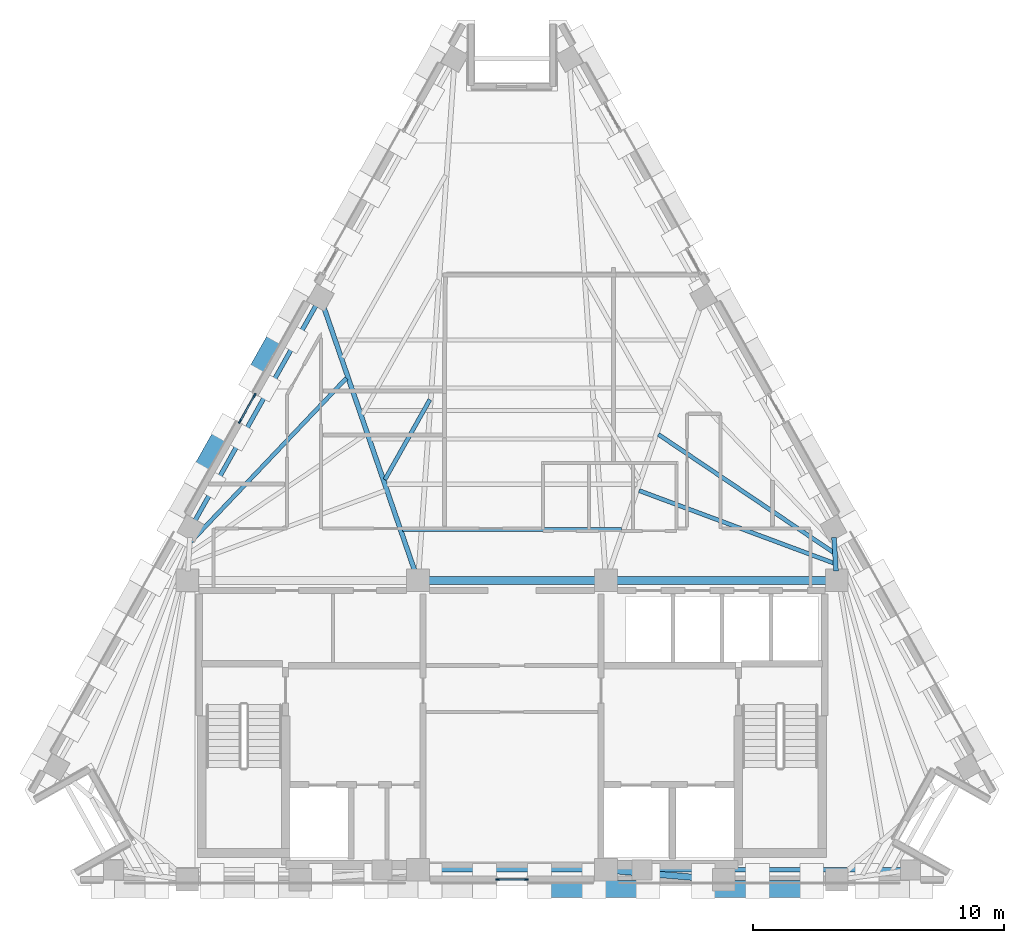
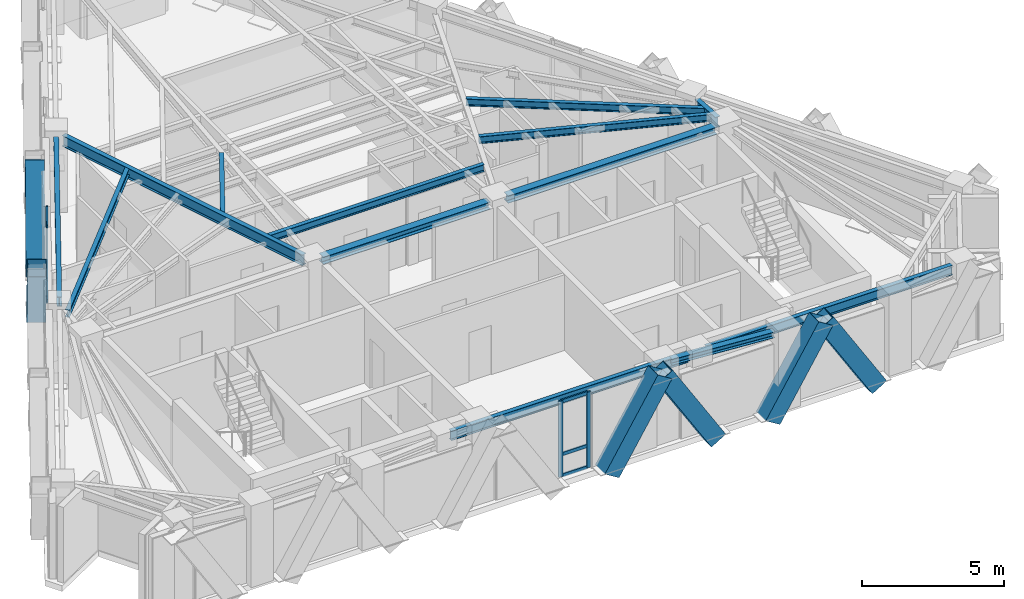
# One storey, part 2 of 9: 16 members, 13 beams, 2 elements without a shape of their own.
"""IFC4 building model written with IfcOpenShell, lengths in metres."""

from ifc_helpers import new_model, si_unit, direction, frame, origin, origin_2d, place, context, subcontext, project, spatial, rectangle, hollow_rectangle, i_section, extrude, material, material_profile, profile_set, type_object, element, aggregate, save


model = new_model("IFC4")

# Units and contexts
model_context = context("Model", 3, precision=1e-05, world=origin(), true_north=direction((0.0, 1.0)))
body_context = subcontext(model_context, "Body", "Model", "MODEL_VIEW")
ifc_project = project(units=[si_unit("LENGTHUNIT", "METRE"), si_unit("AREAUNIT", "SQUARE_METRE"), si_unit("VOLUMEUNIT", "CUBIC_METRE"), si_unit("PLANEANGLEUNIT", "RADIAN"), si_unit("MASSUNIT", "GRAM", prefix="KILO")], contexts=[model_context])

# Site, building, storey
site_placement = place(None, origin())
site = spatial("IfcSite", under=ifc_project, at=site_placement, CompositionType="ELEMENT")
building_placement = place(site_placement, origin())
building = spatial("IfcBuilding", under=site, at=building_placement, Name="Quenlor Broadcast Tower", CompositionType="ELEMENT")
storey_placement = place(building_placement, frame((0.0, 0.0, 246.39990234375)))
storey = spatial("IfcBuildingStorey", under=building, at=storey_placement, Name="L68", CompositionType="ELEMENT", Elevation=246.39990234375)

# Curtain wall, members
ifc_material_1 = material(Name="Architectural Terracotta and Low-E Glazing", Category="masonry")
curtain_wall_type = type_object("IfcCurtainWallType", Name="Unitised Terracotta Curtain Wall System Z5", PredefinedType="NOTDEFINED", material=ifc_material_1)
curtain_wall_1_placement = place(storey_placement, origin())
curtain_wall_1 = element("IfcCurtainWall", 1, at=curtain_wall_1_placement, inside=storey, type_object=curtain_wall_type, Name="L68 Curtain Wall CW5 (L68-S-G1)", PredefinedType="NOTDEFINED")
ifc_material_2 = material(Name="Aluminium 6063-T6", Category="aluminium")
ifc_material_profile_1 = material_profile(ifc_material_2, rectangle(XDim=0.06494140625, YDim=0.169921875, at=origin_2d()))
ifc_profile_set_1 = profile_set([ifc_material_profile_1], Name="Aluminium 6063-T6 MULL65x170")
member_type_1 = type_object("IfcMemberType", Name="CW5 Aluminium Mullion MULL_CW5", PredefinedType="MULLION", material=ifc_profile_set_1)
member_1_placement = place(storey_placement, frame((0.5732421875, -16.72509765625, 0.0), z_axis=(0.0, 0.0, 1.0), x_axis=(0.0, -1.0, 0.0)))
member_1 = element("IfcMember", 2, at=member_1_placement, type_object=member_type_1, Name="CW5 mullion 1", PredefinedType="MULLION", context=body_context, shape_type="SweptSolid", body=[
    extrude(rectangle(XDim=0.06494140625, YDim=0.169921875, at=origin_2d()), origin(), (0.0, 0.0, 1.0), 3.25),
])
member_2_placement = place(storey_placement, frame((-0.5732421875, -16.72509765625, 0.0), z_axis=(0.0, 0.0, 1.0), x_axis=(0.0, -1.0, 0.0)))
member_2 = element("IfcMember", 3, at=member_2_placement, type_object=member_type_1, Name="CW5 mullion 2", PredefinedType="MULLION", context=body_context, shape_type="SweptSolid", body=[
    extrude(rectangle(XDim=0.06494140625, YDim=0.169921875, at=origin_2d()), origin(), (0.0, 0.0, 1.0), 3.25),
])

curtain_wall_2_placement = place(storey_placement, origin())
curtain_wall_2 = element("IfcCurtainWall", 4, at=curtain_wall_2_placement, inside=storey, type_object=curtain_wall_type, Name="L68 Curtain Wall CW5 (L68-NW-G1)", PredefinedType="NOTDEFINED")
member_3_placement = place(storey_placement, frame((-10.853271484375, 1.54443359375, 0.0), z_axis=(0.0, 0.0, 1.0), x_axis=(-0.871592489955, 0.490231100048, 0.0)))
member_3 = element("IfcMember", 5, at=member_3_placement, type_object=member_type_1, Name="CW5 mullion 1", PredefinedType="MULLION", context=body_context, shape_type="SweptSolid", body=[
    extrude(rectangle(XDim=0.06494140625, YDim=0.169921875, at=origin_2d()), origin(), (0.0, 0.0, 1.0), 3.25),
])
member_4_placement = place(storey_placement, frame((-10.267333984375, 2.586181640625, 0.0), z_axis=(0.0, 0.0, 1.0), x_axis=(-0.871592489955, 0.490231100048, 0.0)))
member_4 = element("IfcMember", 6, at=member_4_placement, type_object=member_type_1, Name="CW5 mullion 2", PredefinedType="MULLION", context=body_context, shape_type="SweptSolid", body=[
    extrude(rectangle(XDim=0.06494140625, YDim=0.169921875, at=origin_2d()), origin(), (0.0, 0.0, 1.0), 3.25),
])

# Member
ifc_material_3 = material(Name="Aluminium 6063-T6", Category="aluminium")
ifc_material_profile_2 = material_profile(ifc_material_3, rectangle(XDim=0.06494140625, YDim=0.139892578125, at=origin_2d()))
ifc_profile_set_2 = profile_set([ifc_material_profile_2], Name="Aluminium 6063-T6 TRAN65x140")
member_type_2 = type_object("IfcMemberType", Name="CW5 Aluminium Transom TRAN_CW5", PredefinedType="USERDEFINED", material=ifc_profile_set_2)
member_5_placement = place(storey_placement, frame((0.540771484375, -16.72509765625, 0.03271484375), z_axis=(-1.0, 0.0, 0.0), x_axis=(0.0, -1.0, 0.0)))
member_5 = element("IfcMember", 7, at=member_5_placement, type_object=member_type_2, Name="CW5 transom 1.1", ObjectType="TRANSOM", PredefinedType="USERDEFINED", context=body_context, shape_type="SweptSolid", body=[
    extrude(rectangle(XDim=0.06494140625, YDim=0.139892578125, at=origin_2d()), origin(), (0.0, 0.0, 1.0), 1.08154296875),
])

member_6_placement = place(storey_placement, frame((0.540771484375, -16.72509765625, 0.9501953125), z_axis=(-1.0, 0.0, 0.0), x_axis=(0.0, -1.0, 0.0)))
member_6 = element("IfcMember", 8, at=member_6_placement, type_object=member_type_2, Name="CW5 transom 1.2", ObjectType="TRANSOM", PredefinedType="USERDEFINED", context=body_context, shape_type="SweptSolid", body=[
    extrude(rectangle(XDim=0.06494140625, YDim=0.139892578125, at=origin_2d()), origin(), (0.0, 0.0, 1.0), 1.08154296875),
])

member_7_placement = place(storey_placement, frame((0.540771484375, -16.72509765625, 3.217529296875), z_axis=(-1.0, 0.0, 0.0), x_axis=(0.0, -1.0, 0.0)))
member_7 = element("IfcMember", 9, at=member_7_placement, type_object=member_type_2, Name="CW5 transom 1.3", ObjectType="TRANSOM", PredefinedType="USERDEFINED", context=body_context, shape_type="SweptSolid", body=[
    extrude(rectangle(XDim=0.06494140625, YDim=0.139892578125, at=origin_2d()), origin(), (0.0, 0.0, 1.0), 1.08154296875),
])

aggregate(curtain_wall_1, [member_1, member_2, member_5, member_6, member_7])

member_8_placement = place(storey_placement, frame((-10.83740234375, 1.57275390625, 0.03271484375), z_axis=(0.490312513966, 0.871546693327, 0.0), x_axis=(-0.871546693327, 0.490312513966, 0.0)))
member_8 = element("IfcMember", 10, at=member_8_placement, type_object=member_type_2, Name="CW5 transom 1.1", ObjectType="TRANSOM", PredefinedType="USERDEFINED", context=body_context, shape_type="SweptSolid", body=[
    extrude(rectangle(XDim=0.06494140625, YDim=0.139892578125, at=origin_2d()), origin(), (0.0, 0.0, 1.0), 1.13037109375),
])

member_9_placement = place(storey_placement, frame((-10.83740234375, 1.57275390625, 0.9501953125), z_axis=(0.490312513966, 0.871546693327, 0.0), x_axis=(-0.871546693327, 0.490312513966, 0.0)))
member_9 = element("IfcMember", 11, at=member_9_placement, type_object=member_type_2, Name="CW5 transom 1.2", ObjectType="TRANSOM", PredefinedType="USERDEFINED", context=body_context, shape_type="SweptSolid", body=[
    extrude(rectangle(XDim=0.06494140625, YDim=0.139892578125, at=origin_2d()), origin(), (0.0, 0.0, 1.0), 1.13037109375),
])

member_10_placement = place(storey_placement, frame((-10.83740234375, 1.57275390625, 3.217529296875), z_axis=(0.490312513966, 0.871546693327, 0.0), x_axis=(-0.871546693327, 0.490312513966, 0.0)))
member_10 = element("IfcMember", 12, at=member_10_placement, type_object=member_type_2, Name="CW5 transom 1.3", ObjectType="TRANSOM", PredefinedType="USERDEFINED", context=body_context, shape_type="SweptSolid", body=[
    extrude(rectangle(XDim=0.06494140625, YDim=0.139892578125, at=origin_2d()), origin(), (0.0, 0.0, 1.0), 1.13037109375),
])

aggregate(curtain_wall_2, [member_3, member_4, member_8, member_9, member_10])

# Beams
ifc_material_4 = material(Name="Steel S355", Category="steel")
ifc_material_profile_3 = material_profile(ifc_material_4, i_section(OverallWidth=0.304931640625, OverallDepth=0.30810546875, WebThickness=0.010009765625, FlangeThickness=0.015380859375, FilletRadius=0.0166015625, at=origin_2d()))
ifc_profile_set_3 = profile_set([ifc_material_profile_3], Name="Steel S355 310UC96.8")
beam_type_1 = type_object("IfcBeamType", Name="Core Header Beam Steel S355 310UC96.8", PredefinedType="BEAM", material=ifc_profile_set_3)
beam_1_placement = place(storey_placement, frame((-3.389892578125, -4.800048828125, 3.09619140625), z_axis=(1.0, 0.0, 0.0), x_axis=(0.0, 1.0, 0.0)))
element("IfcBeam", 13, at=beam_1_placement, inside=storey, type_object=beam_type_1, Name="L68 Core Header Beam 2", PredefinedType="BEAM", context=body_context, shape_type="SweptSolid", body=[
    extrude(i_section(OverallWidth=0.304931640625, OverallDepth=0.30810546875, WebThickness=0.010009765625, FlangeThickness=0.015380859375, FilletRadius=0.0166015625, at=origin_2d()), origin(), (0.0, 0.0, 1.0), 6.77978515625),
])
ifc_material_5 = material(Name="Steel S355", Category="steel")
ifc_material_profile_4 = material_profile(ifc_material_5, i_section(OverallWidth=0.25390625, OverallDepth=0.25390625, WebThickness=0.008544921875, FlangeThickness=0.01416015625, FilletRadius=0.013916015625, at=origin_2d()))
ifc_profile_set_4 = profile_set([ifc_material_profile_4], Name="Steel S355 250UC72.9")
beam_type_2 = type_object("IfcBeamType", Name="Core Opening Lintel Beam Steel S355 250UC72.9", PredefinedType="LINTEL", material=ifc_profile_set_4)
beam_2_placement = place(storey_placement, frame((4.108642578125, -16.380615234375, 3.123291015625), z_axis=(0.996399763903, -0.084779186679, 0.0), x_axis=(0.084779186679, 0.996399763903, 0.0)))
element("IfcBeam", 14, at=beam_2_placement, inside=storey, type_object=beam_type_2, Name="L68 Core Opening Lintel Beam 5", PredefinedType="LINTEL", context=body_context, shape_type="SweptSolid", body=[
    extrude(i_section(OverallWidth=0.25390625, OverallDepth=0.25390625, WebThickness=0.008544921875, FlangeThickness=0.01416015625, FilletRadius=0.013916015625, at=origin_2d()), origin(), (0.0, 0.0, 1.0), 3.9970703125),
])
ifc_material_6 = material(Name="Steel S355", Category="steel")
ifc_material_profile_5 = material_profile(ifc_material_6, i_section(OverallWidth=0.306884765625, OverallDepth=0.314697265625, WebThickness=0.011962890625, FlangeThickness=0.018798828125, FilletRadius=0.0166015625, at=origin_2d()))
ifc_profile_set_5 = profile_set([ifc_material_profile_5], Name="Steel S355 310UC118")
beam_type_3 = type_object("IfcBeamType", Name="Core Tie Beam Steel S355 310UC118", PredefinedType="BEAM", material=ifc_profile_set_5)
beam_3_placement = place(storey_placement, frame((4.110107421875, -4.800048828125, 3.0927734375), z_axis=(1.0, 0.0, 0.0), x_axis=(0.0, 1.0, 0.0)))
element("IfcBeam", 15, at=beam_3_placement, inside=storey, type_object=beam_type_3, Name="L68 Core Tie Beam 3", PredefinedType="BEAM", context=body_context, shape_type="SweptSolid", body=[
    extrude(i_section(OverallWidth=0.306884765625, OverallDepth=0.314697265625, WebThickness=0.011962890625, FlangeThickness=0.018798828125, FilletRadius=0.0166015625, at=origin_2d()), origin(), (0.0, 0.0, 1.0), 8.47998046875),
])

# Members
ifc_material_7 = material(Name="Steel S355", Category="steel")
ifc_material_profile_6 = material_profile(ifc_material_7, hollow_rectangle(XDim=0.679931640625, YDim=0.679931640625, WallThickness=0.02001953125, at=origin_2d()))
ifc_profile_set_6 = profile_set([ifc_material_profile_6], Name="Steel S355 RHS680x680x20")
member_type_3 = type_object("IfcMemberType", Name="Perimeter Diagonal Lattice Brace Z5-Crown Steel S355 RHS680x20", PredefinedType="BRACE", material=ifc_profile_set_6)
for number, where, z_axis, x_axis, name in (
    (16, (11.96240234375, -17.1201171875, -0.119873046875), (-0.5236596973, 0.0, 0.851927532965), (0.0, -1.0, 0.0), "L68 Perimeter Diamond Lattice S-C1S"),
    (17, (5.430419921875, -17.1201171875, -0.119873046875), (-0.5236596973, 0.0, 0.851927532965), (0.0, -1.0, 0.0), "L68 Perimeter Diamond Lattice S-C2S"),
):
    element("IfcMember", number, at=place(storey_placement, frame(where, z_axis=z_axis, x_axis=x_axis)), inside=storey, type_object=member_type_3, Name=name, PredefinedType="BRACE", context=body_context, shape_type="SweptSolid", body=[
        extrude(hollow_rectangle(XDim=0.679931640625, YDim=0.679931640625, WallThickness=0.02001953125, at=origin_2d()), origin(), (0.0, 0.0, 1.0), 4.1083984375),
    ])
for number, where, z_axis, x_axis, name in (
    (18, (7.6337890625, -17.1201171875, -0.119873046875), (0.523616565236, 0.0, 0.85195404372), (0.0, 1.0, 0.0), "L68 Perimeter Diamond Lattice S-C2B"),
    (19, (1.101806640625, -17.1201171875, -0.119873046875), (0.523616565236, 0.0, 0.85195404372), (0.0, 1.0, 0.0), "L68 Perimeter Diamond Lattice S-C3B"),
):
    element("IfcMember", number, at=place(storey_placement, frame(where, z_axis=z_axis, x_axis=x_axis)), inside=storey, type_object=member_type_3, Name=name, PredefinedType="BRACE", context=body_context, shape_type="SweptSolid", body=[
        extrude(hollow_rectangle(XDim=0.679931640625, YDim=0.679931640625, WallThickness=0.02001953125, at=origin_2d()), origin(), (0.0, 0.0, 1.0), 4.108154296875),
    ])
for number, where, z_axis, x_axis, name in (
    (20, (-10.35302734375, 3.2392578125, -0.119873046875), (0.260563732169, 0.463283497491, 0.847038926161), (-0.871602253711, 0.49021374045, 0.0), "L68 Perimeter Diamond Lattice NW-C3S"),
    (21, (-11.4560546875, 1.2783203125, -0.119873046875), (-0.260618804175, -0.463276364439, 0.847025884529), (0.8715547569, -0.490298180422, 0.0), "L68 Perimeter Diamond Lattice NW-C3B"),
):
    element("IfcMember", number, at=place(storey_placement, frame(where, z_axis=z_axis, x_axis=x_axis)), inside=storey, type_object=member_type_3, Name=name, PredefinedType="BRACE", context=body_context, shape_type="SweptSolid", body=[
        extrude(hollow_rectangle(XDim=0.679931640625, YDim=0.679931640625, WallThickness=0.02001953125, at=origin_2d()), origin(), (0.0, 0.0, 1.0), 4.132080078125),
    ])

# Beams
ifc_material_8 = material(Name="Steel S355", Category="steel")
ifc_material_profile_7 = material_profile(ifc_material_8, i_section(OverallWidth=0.177978515625, OverallDepth=0.406494140625, WebThickness=0.0078125, FlangeThickness=0.0126953125, FilletRadius=0.011474609375, at=origin_2d()))
ifc_profile_set_7 = profile_set([ifc_material_profile_7], Name="Steel S355 410UB59.7")
beam_type_4 = type_object("IfcBeamType", Name="Perimeter Spandrel Beam Z5 Steel S355 410UB59.7", PredefinedType="SPANDREL", material=ifc_profile_set_7)
beam_4_placement = place(storey_placement, frame((-4.823974609375, -16.35009765625, 3.046875), z_axis=(1.0, 0.0, 0.0), x_axis=(0.0, 1.0, 0.0)))
element("IfcBeam", 22, at=beam_4_placement, inside=storey, type_object=beam_type_4, Name="L68 Spandrel Beam S2-S3", PredefinedType="SPANDREL", context=body_context, shape_type="SweptSolid", body=[
    extrude(i_section(OverallWidth=0.177978515625, OverallDepth=0.406494140625, WebThickness=0.0078125, FlangeThickness=0.0126953125, FilletRadius=0.011474609375, at=origin_2d()), origin(), (0.0, 0.0, 1.0), 9.64794921875),
])
beam_5_placement = place(storey_placement, frame((5.5439453125, -16.35009765625, 3.046875), z_axis=(1.0, 0.0, 0.0), x_axis=(0.0, 1.0, 0.0)))
element("IfcBeam", 23, at=beam_5_placement, inside=storey, type_object=beam_type_4, Name="L68 Spandrel Beam S3-S4", PredefinedType="SPANDREL", context=body_context, shape_type="SweptSolid", body=[
    extrude(i_section(OverallWidth=0.177978515625, OverallDepth=0.406494140625, WebThickness=0.0078125, FlangeThickness=0.0126953125, FilletRadius=0.011474609375, at=origin_2d()), origin(), (0.0, 0.0, 1.0), 9.99365234375),
])
beam_6_placement = place(storey_placement, frame((-7.818115234375, 6.175537109375, 3.046875), z_axis=(-0.49024947634, -0.871582153872, 0.0), x_axis=(0.871582153872, -0.49024947634, 0.0)))
element("IfcBeam", 24, at=beam_6_placement, inside=storey, type_object=beam_type_4, Name="L68 Spandrel Beam NW2-NW3", PredefinedType="SPANDREL", context=body_context, shape_type="SweptSolid", body=[
    extrude(i_section(OverallWidth=0.177978515625, OverallDepth=0.406494140625, WebThickness=0.0078125, FlangeThickness=0.0126953125, FilletRadius=0.011474609375, at=origin_2d()), origin(), (0.0, 0.0, 1.0), 9.853759765625),
])
ifc_material_9 = material(Name="Steel S355", Category="steel")
ifc_material_profile_8 = material_profile(ifc_material_9, i_section(OverallWidth=0.166015625, OverallDepth=0.30712890625, WebThickness=0.006591796875, FlangeThickness=0.01171875, FilletRadius=0.011474609375, at=origin_2d()))
ifc_profile_set_8 = profile_set([ifc_material_profile_8], Name="Steel S355 310UB46.2")
beam_type_5 = type_object("IfcBeamType", Name="Tower Composite Joist Z4-Z5 Steel S355 310UB46.2", PredefinedType="JOIST", material=ifc_profile_set_8)
beam_7_placement = place(storey_placement, frame((-4.37060546875, -2.767822265625, 3.096435546875), z_axis=(1.0, 0.0, 0.0), x_axis=(0.0, 1.0, 0.0)))
element("IfcBeam", 25, at=beam_7_placement, inside=storey, type_object=beam_type_5, Name="L68 Secondary Composite Joist 1", PredefinedType="JOIST", context=body_context, shape_type="SweptSolid", body=[
    extrude(i_section(OverallWidth=0.166015625, OverallDepth=0.30712890625, WebThickness=0.006591796875, FlangeThickness=0.01171875, FilletRadius=0.011474609375, at=origin_2d()), origin(), (0.0, 0.0, 1.0), 8.7412109375),
])
beam_8_placement = place(storey_placement, frame((-12.80517578125, -3.249267578125, 3.096435546875), z_axis=(0.689023306429, 0.724739182877, 0.0), x_axis=(-0.724739182877, 0.689023306429, 0.0)))
element("IfcBeam", 26, at=beam_8_placement, inside=storey, type_object=beam_type_5, Name="L68 Secondary Composite Joist 9", PredefinedType="JOIST", context=body_context, shape_type="SweptSolid", body=[
    extrude(i_section(OverallWidth=0.166015625, OverallDepth=0.30712890625, WebThickness=0.006591796875, FlangeThickness=0.01171875, FilletRadius=0.011474609375, at=origin_2d()), origin(), (0.0, 0.0, 1.0), 8.99560546875),
])
beam_9_placement = place(storey_placement, frame((12.835205078125, -4.108642578125, 3.096435546875), z_axis=(-0.937062080226, 0.349162795559, 0.0), x_axis=(-0.349162795559, -0.937062080226, 0.0)))
element("IfcBeam", 27, at=beam_9_placement, inside=storey, type_object=beam_type_5, Name="L68 Secondary Composite Joist 10", PredefinedType="JOIST", context=body_context, shape_type="SweptSolid", body=[
    extrude(i_section(OverallWidth=0.166015625, OverallDepth=0.30712890625, WebThickness=0.006591796875, FlangeThickness=0.01171875, FilletRadius=0.011474609375, at=origin_2d()), origin(), (0.0, 0.0, 1.0), 8.286376953125),
])
beam_10_placement = place(storey_placement, frame((12.81884765625, -3.67724609375, 3.096435546875), z_axis=(-0.829286301475, 0.558823970661, 0.0), x_axis=(-0.558823970661, -0.829286301475, 0.0)))
element("IfcBeam", 28, at=beam_10_placement, inside=storey, type_object=beam_type_5, Name="L68 Secondary Composite Joist 11", PredefinedType="JOIST", context=body_context, shape_type="SweptSolid", body=[
    extrude(i_section(OverallWidth=0.166015625, OverallDepth=0.30712890625, WebThickness=0.006591796875, FlangeThickness=0.01171875, FilletRadius=0.011474609375, at=origin_2d()), origin(), (0.0, 0.0, 1.0), 8.415771484375),
])
beam_11_placement = place(storey_placement, frame((-3.2763671875, 2.41455078125, 3.096435546875), z_axis=(-0.490258076222, -0.871577316535, 0.0), x_axis=(0.871577316535, -0.490258076222, 0.0)))
element("IfcBeam", 29, at=beam_11_placement, inside=storey, type_object=beam_type_5, Name="L68 Secondary Composite Joist 25", PredefinedType="JOIST", context=body_context, shape_type="SweptSolid", body=[
    extrude(i_section(OverallWidth=0.166015625, OverallDepth=0.30712890625, WebThickness=0.006591796875, FlangeThickness=0.01171875, FilletRadius=0.011474609375, at=origin_2d()), origin(), (0.0, 0.0, 1.0), 3.6640625),
])
ifc_material_10 = material(Name="Steel S355", Category="steel")
ifc_material_profile_9 = material_profile(ifc_material_10, i_section(OverallWidth=0.19091796875, OverallDepth=0.46044921875, WebThickness=0.010009765625, FlangeThickness=0.01611328125, FilletRadius=0.011474609375, at=origin_2d()))
ifc_profile_set_9 = profile_set([ifc_material_profile_9], Name="Steel S355 460UB82.1")
beam_type_6 = type_object("IfcBeamType", Name="Tower Primary Floor Beam Z5 Steel S355 460UB82.1", PredefinedType="BEAM", material=ifc_profile_set_9)
beam_12_placement = place(storey_placement, frame((12.84716796875, -3.086181640625, 3.02001953125), z_axis=(0.059899569349, -0.998204408722, 0.0), x_axis=(0.998204408722, 0.059899569349, 0.0)))
element("IfcBeam", 30, at=beam_12_placement, inside=storey, type_object=beam_type_6, Name="L68 Primary Radial Beam NE2", PredefinedType="BEAM", context=body_context, shape_type="SweptSolid", body=[
    extrude(i_section(OverallWidth=0.19091796875, OverallDepth=0.46044921875, WebThickness=0.010009765625, FlangeThickness=0.01611328125, FilletRadius=0.011474609375, at=origin_2d()), origin(), (0.0, 0.0, 1.0), 1.3369140625),
])
beam_13_placement = place(storey_placement, frame((-7.524169921875, 6.14892578125, 3.02001953125), z_axis=(0.325895297662, -0.945405867848, 0.0), x_axis=(0.945405867848, 0.325895297662, 0.0)))
element("IfcBeam", 31, at=beam_13_placement, inside=storey, type_object=beam_type_6, Name="L68 Primary Radial Beam NW2", PredefinedType="BEAM", context=body_context, shape_type="SweptSolid", body=[
    extrude(i_section(OverallWidth=0.19091796875, OverallDepth=0.46044921875, WebThickness=0.010009765625, FlangeThickness=0.01611328125, FilletRadius=0.011474609375, at=origin_2d()), origin(), (0.0, 0.0, 1.0), 11.201171875),
])

save(model, "model.ifc")
